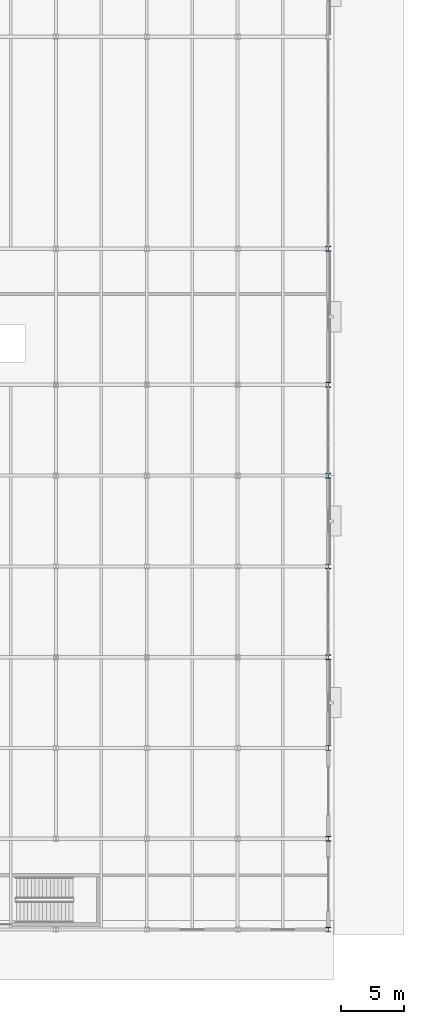
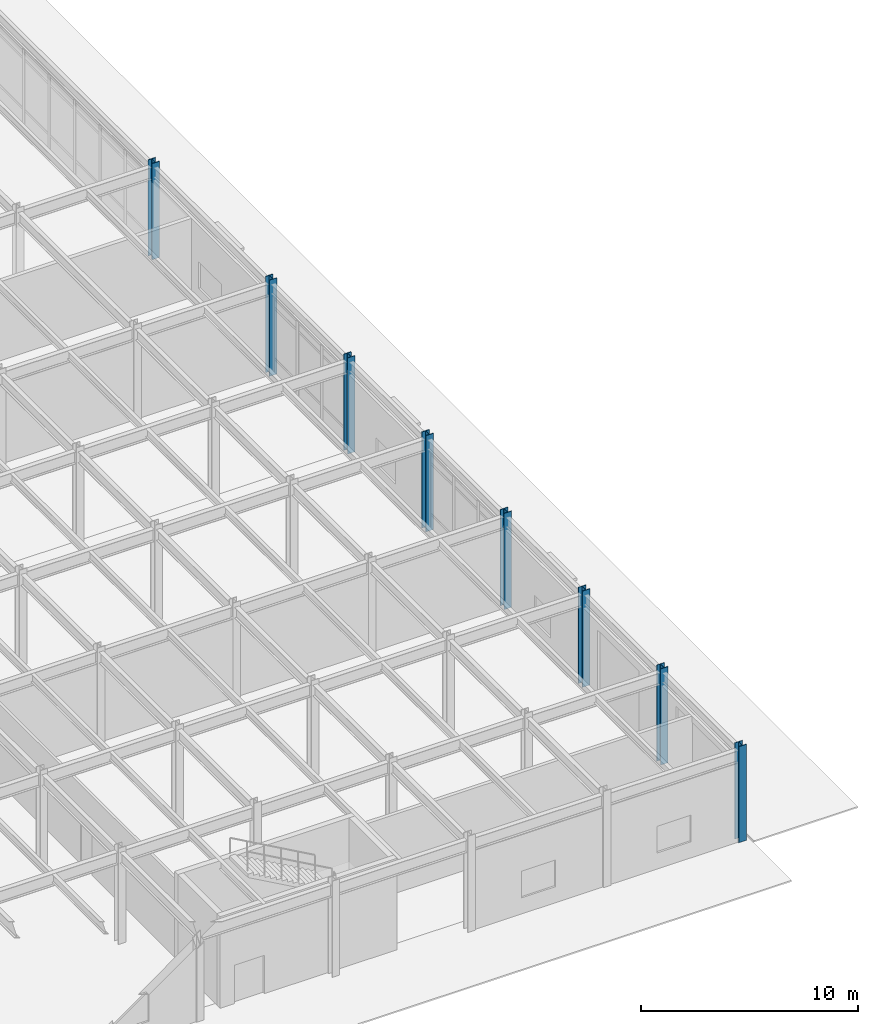
# One storey, part 14 of 104: 8 columns.
"""IFC4 building model written with IfcOpenShell, lengths in metres."""

from ifc_helpers import new_model, si_unit, direction, frame, origin, origin_2d, place, context, subcontext, project, spatial, i_section, extrude, material, material_profile, profile_set, type_object, element, save


model = new_model("IFC4")

# Units and contexts
model_context = context("Model", 3, precision=1e-05, world=origin(), true_north=direction((0.0, 1.0)))
body_context = subcontext(model_context, "Body", "Model", "MODEL_VIEW")
ifc_project = project(units=[si_unit("LENGTHUNIT", "METRE"), si_unit("AREAUNIT", "SQUARE_METRE"), si_unit("VOLUMEUNIT", "CUBIC_METRE"), si_unit("PLANEANGLEUNIT", "RADIAN"), si_unit("MASSUNIT", "GRAM", prefix="KILO")], contexts=[model_context])

# Site, building, storey
site_placement = place(None, origin())
site = spatial("IfcSite", under=ifc_project, at=site_placement, CompositionType="ELEMENT")
building_placement = place(site_placement, origin())
building = spatial("IfcBuilding", under=site, at=building_placement, Name="Vaelcorin Mobility Hub", CompositionType="ELEMENT")
storey_placement = place(building_placement, origin())
storey = spatial("IfcBuildingStorey", under=building, at=storey_placement, Name="L00", CompositionType="ELEMENT", Elevation=0.0)

# Columns
ifc_material = material(Name="Steel ASTM A992 Grade 50", Category="steel")
ifc_material_profile = material_profile(ifc_material, i_section(OverallWidth=0.39599609375, OverallDepth=0.381103515625, WebThickness=0.018798828125, FlangeThickness=0.0302734375, FilletRadius=0.014892578125, at=origin_2d()), Name="W14X159")
ifc_profile_set = profile_set([ifc_material_profile], Name="Steel ASTM A992 Grade 50")
column_type = type_object("IfcColumnType", Name="COL-W14X159", PredefinedType="COLUMN", material=ifc_profile_set)
for number, where, z_axis, x_axis, name in (
    (1, (204.0, 6.0, 0.0), (0.0, 0.0, 1.0), (1.0, 0.0, 0.0), "Column V5-X08Y01 L00"),
    (2, (204.0, 13.199951171875, 0.0), (0.0, 0.0, 1.0), (1.0, 0.0, 0.0), "Column V5-X08Y02 L00"),
    (3, (204.0, 20.39990234375, 0.0), (0.0, 0.0, 1.0), (1.0, 0.0, 0.0), "Column V5-X08Y03 L00"),
    (4, (204.0, 27.60009765625, 0.0), (0.0, 0.0, 1.0), (1.0, 0.0, 0.0), "Column V5-X08Y04 L00"),
    (5, (204.0, 34.800048828125, 0.0), (0.0, 0.0, 1.0), (1.0, 0.0, 0.0), "Column V5-X08Y05 L00"),
    (6, (204.0, 42.0, 0.0), (0.0, 0.0, 1.0), (1.0, 0.0, 0.0), "Column V5-X08Y06 L00"),
    (7, (204.0, 49.199951171875, 0.0), (0.0, 0.0, 1.0), (1.0, 0.0, 0.0), "Column V5-X08Y07 L00"),
    (8, (204.0, 60.0, 0.0), (0.0, 0.0, 1.0), (1.0, 0.0, 0.0), "Column V5-X08Y08 L00"),
):
    element("IfcColumn", number, at=place(storey_placement, frame(where, z_axis=z_axis, x_axis=x_axis)), inside=storey, type_object=column_type, Name=name, PredefinedType="COLUMN", context=body_context, shape_type="SweptSolid", body=[
        extrude(i_section(OverallWidth=0.39599609375, OverallDepth=0.381103515625, WebThickness=0.018798828125, FlangeThickness=0.0302734375, FilletRadius=0.014892578125, at=origin_2d()), origin(), (0.0, 0.0, 1.0), 5.39990234375),
    ])

save(model, "model.ifc")
